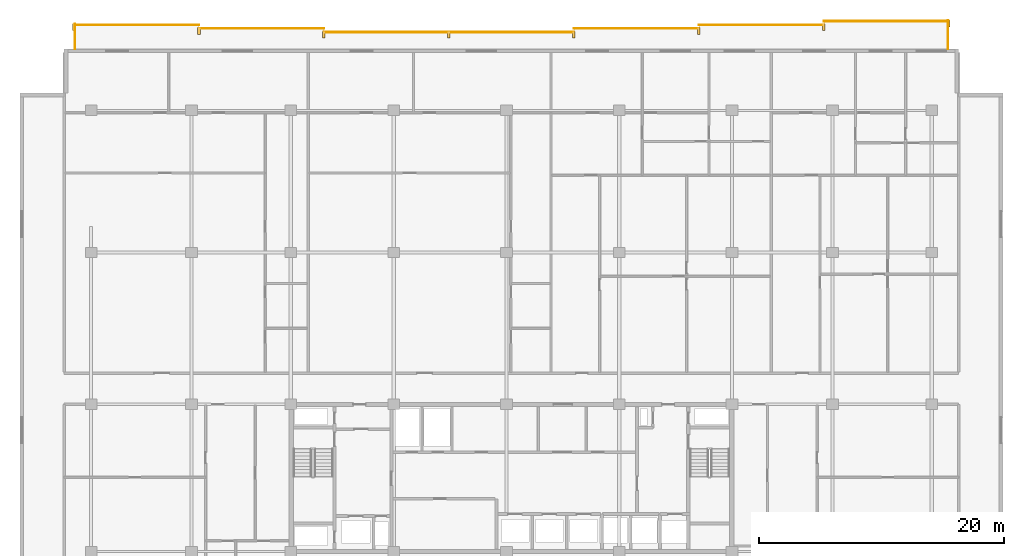
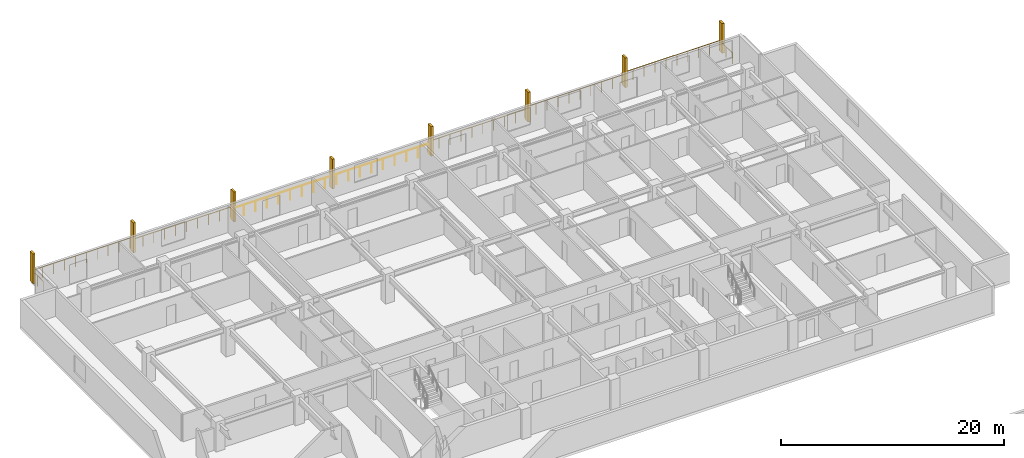
# One storey, part 21 of 21: 8 railings, 8 shading devices.
"""IFC4 building model written with IfcOpenShell, lengths in metres."""

from ifc_helpers import new_model, si_unit, direction, frame, origin, origin_2d, place, context, subcontext, project, spatial, rectangle, circle, extrude, material, type_object, element, save


model = new_model("IFC4")

# Units and contexts
model_context = context("Model", 3, precision=1e-05, world=origin(), true_north=direction((0.0, 1.0)))
body_context = subcontext(model_context, "Body", "Model", "MODEL_VIEW")
ifc_project = project(units=[si_unit("LENGTHUNIT", "METRE"), si_unit("AREAUNIT", "SQUARE_METRE"), si_unit("VOLUMEUNIT", "CUBIC_METRE"), si_unit("PLANEANGLEUNIT", "RADIAN"), si_unit("MASSUNIT", "GRAM", prefix="KILO")], contexts=[model_context])

# Site, building, storey
site_placement = place(None, origin())
site = spatial("IfcSite", under=ifc_project, at=site_placement, CompositionType="ELEMENT")
building_placement = place(site_placement, origin())
building = spatial("IfcBuilding", under=site, at=building_placement, Name="Korimba Cascade Residences", CompositionType="ELEMENT")
storey_placement = place(building_placement, frame((0.0, 0.0, 116.550048828125)))
storey = spatial("IfcBuildingStorey", under=building, at=storey_placement, Name="L33", CompositionType="ELEMENT", Elevation=116.550048828125)

# Railings
ifc_material_1 = material(Name="Laminated Glass and Bronze Balustrade", Category="glass")
railing_type = type_object("IfcRailingType", Name="RLG-LOG-1150", PredefinedType="BALUSTRADE", material=ifc_material_1)
railing_1_placement = place(storey_placement, frame((129.719970703125, 96.199951171875, 0.0)))
element("IfcRailing", 1, at=railing_1_placement, inside=storey, type_object=railing_type, Name="L33 Perimeter Guardrail RLG-L33-T1-LOG-01", PredefinedType="BALUSTRADE", context=body_context, shape_type="SweptSolid", body=[
    extrude(circle(Radius=0.02392578125, at=origin_2d()), frame((0.0, 0.0, 1.1259765625), z_axis=(0.0, 1.0, 0.0), x_axis=(-1.0, 0.0, 0.0)), (0.0, 0.0, 1.0), 2.35009765625),
    extrude(circle(Radius=0.02099609375, at=origin_2d()), origin(), (0.0, 0.0, 1.0), 1.101806640625),
    extrude(circle(Radius=0.02099609375, at=origin_2d()), frame((0.0, 1.175048828125, 0.0)), (0.0, 0.0, 1.0), 1.101806640625),
    extrude(circle(Radius=0.02099609375, at=origin_2d()), frame((0.0, 2.35009765625, 0.0)), (0.0, 0.0, 1.0), 1.101806640625),
])
railing_2_placement = place(storey_placement, frame((129.800048828125, 98.469970703125, 0.0)))
element("IfcRailing", 2, at=railing_2_placement, inside=storey, type_object=railing_type, Name="L33 Perimeter Guardrail RLG-L33-T1-LOG-02", PredefinedType="BALUSTRADE", context=body_context, shape_type="SweptSolid", body=[
    extrude(circle(Radius=0.02392578125, at=origin_2d()), frame((0.0, 0.0, 1.1259765625), z_axis=(-1.0, 0.0, 0.0), x_axis=(0.0, -1.0, 0.0)), (0.0, 0.0, 1.0), 10.199951171875),
    extrude(circle(Radius=0.02099609375, at=origin_2d()), origin(), (0.0, 0.0, 1.0), 1.101806640625),
    extrude(circle(Radius=0.02099609375, at=origin_2d()), frame((-1.13330078125, 0.0, 0.0)), (0.0, 0.0, 1.0), 1.101806640625),
    extrude(circle(Radius=0.02099609375, at=origin_2d()), frame((-2.2666015625, 0.0, 0.0)), (0.0, 0.0, 1.0), 1.101806640625),
    extrude(circle(Radius=0.02099609375, at=origin_2d()), frame((-3.39990234375, 0.0, 0.0)), (0.0, 0.0, 1.0), 1.101806640625),
    extrude(circle(Radius=0.02099609375, at=origin_2d()), frame((-4.533203125, 0.0, 0.0)), (0.0, 0.0, 1.0), 1.101806640625),
    extrude(circle(Radius=0.02099609375, at=origin_2d()), frame((-5.666748046875, 0.0, 0.0)), (0.0, 0.0, 1.0), 1.101806640625),
    extrude(circle(Radius=0.02099609375, at=origin_2d()), frame((-6.800048828125, 0.0, 0.0)), (0.0, 0.0, 1.0), 1.101806640625),
    extrude(circle(Radius=0.02099609375, at=origin_2d()), frame((-7.933349609375, 0.0, 0.0)), (0.0, 0.0, 1.0), 1.101806640625),
    extrude(circle(Radius=0.02099609375, at=origin_2d()), frame((-9.066650390625, 0.0, 0.0)), (0.0, 0.0, 1.0), 1.101806640625),
    extrude(circle(Radius=0.02099609375, at=origin_2d()), frame((-10.199951171875, 0.0, 0.0)), (0.0, 0.0, 1.0), 1.101806640625),
])
railing_3_placement = place(storey_placement, frame((119.60009765625, 98.169921875, 0.0)))
element("IfcRailing", 3, at=railing_3_placement, inside=storey, type_object=railing_type, Name="L33 Perimeter Guardrail RLG-L33-T1-LOG-03", PredefinedType="BALUSTRADE", context=body_context, shape_type="SweptSolid", body=[
    extrude(circle(Radius=0.02392578125, at=origin_2d()), frame((0.0, 0.0, 1.1259765625), z_axis=(-1.0, 0.0, 0.0), x_axis=(0.0, -1.0, 0.0)), (0.0, 0.0, 1.0), 10.2001953125),
    extrude(circle(Radius=0.02099609375, at=origin_2d()), origin(), (0.0, 0.0, 1.0), 1.101806640625),
    extrude(circle(Radius=0.02099609375, at=origin_2d()), frame((-1.13330078125, 0.0, 0.0)), (0.0, 0.0, 1.0), 1.101806640625),
    extrude(circle(Radius=0.02099609375, at=origin_2d()), frame((-2.2666015625, 0.0, 0.0)), (0.0, 0.0, 1.0), 1.101806640625),
    extrude(circle(Radius=0.02099609375, at=origin_2d()), frame((-3.400146484375, 0.0, 0.0)), (0.0, 0.0, 1.0), 1.101806640625),
    extrude(circle(Radius=0.02099609375, at=origin_2d()), frame((-4.533447265625, 0.0, 0.0)), (0.0, 0.0, 1.0), 1.101806640625),
    extrude(circle(Radius=0.02099609375, at=origin_2d()), frame((-5.666748046875, 0.0, 0.0)), (0.0, 0.0, 1.0), 1.101806640625),
    extrude(circle(Radius=0.02099609375, at=origin_2d()), frame((-6.800048828125, 0.0, 0.0)), (0.0, 0.0, 1.0), 1.101806640625),
    extrude(circle(Radius=0.02099609375, at=origin_2d()), frame((-7.93359375, 0.0, 0.0)), (0.0, 0.0, 1.0), 1.101806640625),
    extrude(circle(Radius=0.02099609375, at=origin_2d()), frame((-9.06689453125, 0.0, 0.0)), (0.0, 0.0, 1.0), 1.101806640625),
    extrude(circle(Radius=0.02099609375, at=origin_2d()), frame((-10.2001953125, 0.0, 0.0)), (0.0, 0.0, 1.0), 1.101806640625),
])
railing_4_placement = place(storey_placement, frame((109.39990234375, 97.8701171875, 0.0)))
element("IfcRailing", 4, at=railing_4_placement, inside=storey, type_object=railing_type, Name="L33 Perimeter Guardrail RLG-L33-T1-LOG-04", PredefinedType="BALUSTRADE", context=body_context, shape_type="SweptSolid", body=[
    extrude(circle(Radius=0.02392578125, at=origin_2d()), frame((0.0, 0.0, 1.1259765625), z_axis=(-1.0, 0.0, 0.0), x_axis=(0.0, -1.0, 0.0)), (0.0, 0.0, 1.0), 10.199951171875),
    extrude(circle(Radius=0.02099609375, at=origin_2d()), origin(), (0.0, 0.0, 1.0), 1.101806640625),
    extrude(circle(Radius=0.02099609375, at=origin_2d()), frame((-1.13330078125, 0.0, 0.0)), (0.0, 0.0, 1.0), 1.101806640625),
    extrude(circle(Radius=0.02099609375, at=origin_2d()), frame((-2.2666015625, 0.0, 0.0)), (0.0, 0.0, 1.0), 1.101806640625),
    extrude(circle(Radius=0.02099609375, at=origin_2d()), frame((-3.39990234375, 0.0, 0.0)), (0.0, 0.0, 1.0), 1.101806640625),
    extrude(circle(Radius=0.02099609375, at=origin_2d()), frame((-4.533203125, 0.0, 0.0)), (0.0, 0.0, 1.0), 1.101806640625),
    extrude(circle(Radius=0.02099609375, at=origin_2d()), frame((-5.666748046875, 0.0, 0.0)), (0.0, 0.0, 1.0), 1.101806640625),
    extrude(circle(Radius=0.02099609375, at=origin_2d()), frame((-6.800048828125, 0.0, 0.0)), (0.0, 0.0, 1.0), 1.101806640625),
    extrude(circle(Radius=0.02099609375, at=origin_2d()), frame((-7.933349609375, 0.0, 0.0)), (0.0, 0.0, 1.0), 1.101806640625),
    extrude(circle(Radius=0.02099609375, at=origin_2d()), frame((-9.066650390625, 0.0, 0.0)), (0.0, 0.0, 1.0), 1.101806640625),
    extrude(circle(Radius=0.02099609375, at=origin_2d()), frame((-10.199951171875, 0.0, 0.0)), (0.0, 0.0, 1.0), 1.101806640625),
])
railing_5_placement = place(storey_placement, frame((99.199951171875, 97.570068359375, 0.0)))
element("IfcRailing", 5, at=railing_5_placement, inside=storey, type_object=railing_type, Name="L33 Perimeter Guardrail RLG-L33-T1-LOG-05", PredefinedType="BALUSTRADE", context=body_context, shape_type="SweptSolid", body=[
    extrude(circle(Radius=0.02392578125, at=origin_2d()), frame((0.0, 0.0, 1.1259765625), z_axis=(-1.0, 0.0, 0.0), x_axis=(0.0, -1.0, 0.0)), (0.0, 0.0, 1.0), 20.39990234375),
    extrude(circle(Radius=0.02099609375, at=origin_2d()), origin(), (0.0, 0.0, 1.0), 1.101806640625),
    extrude(circle(Radius=0.02099609375, at=origin_2d()), frame((-1.199951171875, 0.0, 0.0)), (0.0, 0.0, 1.0), 1.101806640625),
    extrude(circle(Radius=0.02099609375, at=origin_2d()), frame((-2.39990234375, 0.0, 0.0)), (0.0, 0.0, 1.0), 1.101806640625),
    extrude(circle(Radius=0.02099609375, at=origin_2d()), frame((-3.60009765625, 0.0, 0.0)), (0.0, 0.0, 1.0), 1.101806640625),
    extrude(circle(Radius=0.02099609375, at=origin_2d()), frame((-4.800048828125, 0.0, 0.0)), (0.0, 0.0, 1.0), 1.101806640625),
    extrude(circle(Radius=0.02099609375, at=origin_2d()), frame((-6.0, 0.0, 0.0)), (0.0, 0.0, 1.0), 1.101806640625),
    extrude(circle(Radius=0.02099609375, at=origin_2d()), frame((-7.199951171875, 0.0, 0.0)), (0.0, 0.0, 1.0), 1.101806640625),
    extrude(circle(Radius=0.02099609375, at=origin_2d()), frame((-8.39990234375, 0.0, 0.0)), (0.0, 0.0, 1.0), 1.101806640625),
    extrude(circle(Radius=0.02099609375, at=origin_2d()), frame((-9.599853515625, 0.0, 0.0)), (0.0, 0.0, 1.0), 1.101806640625),
    extrude(circle(Radius=0.02099609375, at=origin_2d()), frame((-10.800048828125, 0.0, 0.0)), (0.0, 0.0, 1.0), 1.101806640625),
    extrude(circle(Radius=0.02099609375, at=origin_2d()), frame((-12.0, 0.0, 0.0)), (0.0, 0.0, 1.0), 1.101806640625),
    extrude(circle(Radius=0.02099609375, at=origin_2d()), frame((-13.199951171875, 0.0, 0.0)), (0.0, 0.0, 1.0), 1.101806640625),
    extrude(circle(Radius=0.02099609375, at=origin_2d()), frame((-14.39990234375, 0.0, 0.0)), (0.0, 0.0, 1.0), 1.101806640625),
    extrude(circle(Radius=0.02099609375, at=origin_2d()), frame((-15.599853515625, 0.0, 0.0)), (0.0, 0.0, 1.0), 1.101806640625),
    extrude(circle(Radius=0.02099609375, at=origin_2d()), frame((-16.7998046875, 0.0, 0.0)), (0.0, 0.0, 1.0), 1.101806640625),
    extrude(circle(Radius=0.02099609375, at=origin_2d()), frame((-18.0, 0.0, 0.0)), (0.0, 0.0, 1.0), 1.101806640625),
    extrude(circle(Radius=0.02099609375, at=origin_2d()), frame((-19.199951171875, 0.0, 0.0)), (0.0, 0.0, 1.0), 1.101806640625),
    extrude(circle(Radius=0.02099609375, at=origin_2d()), frame((-20.39990234375, 0.0, 0.0)), (0.0, 0.0, 1.0), 1.101806640625),
])
railing_6_placement = place(storey_placement, frame((78.800048828125, 97.8701171875, 0.0)))
element("IfcRailing", 6, at=railing_6_placement, inside=storey, type_object=railing_type, Name="L33 Perimeter Guardrail RLG-L33-T1-LOG-06", PredefinedType="BALUSTRADE", context=body_context, shape_type="SweptSolid", body=[
    extrude(circle(Radius=0.02392578125, at=origin_2d()), frame((0.0, 0.0, 1.1259765625), z_axis=(-1.0, 0.0, 0.0), x_axis=(0.0, -1.0, 0.0)), (0.0, 0.0, 1.0), 10.199951171875),
    extrude(circle(Radius=0.02099609375, at=origin_2d()), origin(), (0.0, 0.0, 1.0), 1.101806640625),
    extrude(circle(Radius=0.02099609375, at=origin_2d()), frame((-1.13330078125, 0.0, 0.0)), (0.0, 0.0, 1.0), 1.101806640625),
    extrude(circle(Radius=0.02099609375, at=origin_2d()), frame((-2.2666015625, 0.0, 0.0)), (0.0, 0.0, 1.0), 1.101806640625),
    extrude(circle(Radius=0.02099609375, at=origin_2d()), frame((-3.39990234375, 0.0, 0.0)), (0.0, 0.0, 1.0), 1.101806640625),
    extrude(circle(Radius=0.02099609375, at=origin_2d()), frame((-4.533203125, 0.0, 0.0)), (0.0, 0.0, 1.0), 1.101806640625),
    extrude(circle(Radius=0.02099609375, at=origin_2d()), frame((-5.666748046875, 0.0, 0.0)), (0.0, 0.0, 1.0), 1.101806640625),
    extrude(circle(Radius=0.02099609375, at=origin_2d()), frame((-6.800048828125, 0.0, 0.0)), (0.0, 0.0, 1.0), 1.101806640625),
    extrude(circle(Radius=0.02099609375, at=origin_2d()), frame((-7.933349609375, 0.0, 0.0)), (0.0, 0.0, 1.0), 1.101806640625),
    extrude(circle(Radius=0.02099609375, at=origin_2d()), frame((-9.066650390625, 0.0, 0.0)), (0.0, 0.0, 1.0), 1.101806640625),
    extrude(circle(Radius=0.02099609375, at=origin_2d()), frame((-10.199951171875, 0.0, 0.0)), (0.0, 0.0, 1.0), 1.101806640625),
])
railing_7_placement = place(storey_placement, frame((68.60009765625, 98.169921875, 0.0)))
element("IfcRailing", 7, at=railing_7_placement, inside=storey, type_object=railing_type, Name="L33 Perimeter Guardrail RLG-L33-T1-LOG-07", PredefinedType="BALUSTRADE", context=body_context, shape_type="SweptSolid", body=[
    extrude(circle(Radius=0.02392578125, at=origin_2d()), frame((0.0, 0.0, 1.1259765625), z_axis=(-1.0, 0.0, 0.0), x_axis=(0.0, -1.0, 0.0)), (0.0, 0.0, 1.0), 10.2001953125),
    extrude(circle(Radius=0.02099609375, at=origin_2d()), origin(), (0.0, 0.0, 1.0), 1.101806640625),
    extrude(circle(Radius=0.02099609375, at=origin_2d()), frame((-1.13330078125, 0.0, 0.0)), (0.0, 0.0, 1.0), 1.101806640625),
    extrude(circle(Radius=0.02099609375, at=origin_2d()), frame((-2.2666015625, 0.0, 0.0)), (0.0, 0.0, 1.0), 1.101806640625),
    extrude(circle(Radius=0.02099609375, at=origin_2d()), frame((-3.400146484375, 0.0, 0.0)), (0.0, 0.0, 1.0), 1.101806640625),
    extrude(circle(Radius=0.02099609375, at=origin_2d()), frame((-4.533447265625, 0.0, 0.0)), (0.0, 0.0, 1.0), 1.101806640625),
    extrude(circle(Radius=0.02099609375, at=origin_2d()), frame((-5.666748046875, 0.0, 0.0)), (0.0, 0.0, 1.0), 1.101806640625),
    extrude(circle(Radius=0.02099609375, at=origin_2d()), frame((-6.800048828125, 0.0, 0.0)), (0.0, 0.0, 1.0), 1.101806640625),
    extrude(circle(Radius=0.02099609375, at=origin_2d()), frame((-7.93359375, 0.0, 0.0)), (0.0, 0.0, 1.0), 1.101806640625),
    extrude(circle(Radius=0.02099609375, at=origin_2d()), frame((-9.06689453125, 0.0, 0.0)), (0.0, 0.0, 1.0), 1.101806640625),
    extrude(circle(Radius=0.02099609375, at=origin_2d()), frame((-10.2001953125, 0.0, 0.0)), (0.0, 0.0, 1.0), 1.101806640625),
])
railing_8_placement = place(storey_placement, frame((58.47998046875, 98.25, 0.0)))
element("IfcRailing", 8, at=railing_8_placement, inside=storey, type_object=railing_type, Name="L33 Perimeter Guardrail RLG-L33-T1-LOG-08", PredefinedType="BALUSTRADE", context=body_context, shape_type="SweptSolid", body=[
    extrude(circle(Radius=0.02392578125, at=origin_2d()), frame((0.0, 0.0, 1.1259765625), z_axis=(0.0, -1.0, 0.0), x_axis=(1.0, 0.0, 0.0)), (0.0, 0.0, 1.0), 2.050048828125),
    extrude(circle(Radius=0.02099609375, at=origin_2d()), origin(), (0.0, 0.0, 1.0), 1.101806640625),
    extrude(circle(Radius=0.02099609375, at=origin_2d()), frame((0.0, -1.02490234375, 0.0)), (0.0, 0.0, 1.0), 1.101806640625),
    extrude(circle(Radius=0.02099609375, at=origin_2d()), frame((0.0, -2.050048828125, 0.0)), (0.0, 0.0, 1.0), 1.101806640625),
])

# Shading devices
ifc_material_2 = material(Name="Honed Sandstone Precast Fin", Category="masonry")
shading_device_type = type_object("IfcShadingDeviceType", Name="SHD-FIN-550", PredefinedType="USERDEFINED", material=ifc_material_2)
for number, where, z_axis, x_axis, name in (
    (9, (58.39990234375, 97.97509765625, 0.0), (0.0, 0.0, 1.0), (1.0, 0.0, 0.0), "L33 T1 Warm-Stone Loggia Fin 1"),
    (10, (68.60009765625, 97.675048828125, 0.0), (0.0, 0.0, 1.0), (1.0, 0.0, 0.0), "L33 T1 Warm-Stone Loggia Fin 2"),
    (11, (78.800048828125, 97.375, 0.0), (0.0, 0.0, 1.0), (1.0, 0.0, 0.0), "L33 T1 Warm-Stone Loggia Fin 3"),
    (12, (89.0, 97.375, 0.0), (0.0, 0.0, 1.0), (1.0, 0.0, 0.0), "L33 T1 Warm-Stone Loggia Fin 4"),
    (13, (99.199951171875, 97.375, 0.0), (0.0, 0.0, 1.0), (1.0, 0.0, 0.0), "L33 T1 Warm-Stone Loggia Fin 5"),
    (14, (109.39990234375, 97.675048828125, 0.0), (0.0, 0.0, 1.0), (1.0, 0.0, 0.0), "L33 T1 Warm-Stone Loggia Fin 6"),
    (15, (119.60009765625, 97.97509765625, 0.0), (0.0, 0.0, 1.0), (1.0, 0.0, 0.0), "L33 T1 Warm-Stone Loggia Fin 7"),
    (16, (129.800048828125, 98.27490234375, 0.0), (0.0, 0.0, 1.0), (1.0, 0.0, 0.0), "L33 T1 Warm-Stone Loggia Fin 8"),
):
    element("IfcShadingDevice", number, at=place(storey_placement, frame(where, z_axis=z_axis, x_axis=x_axis)), inside=storey, type_object=shading_device_type, Name=name, ObjectType="FIN", PredefinedType="USERDEFINED", context=body_context, shape_type="SweptSolid", body=[
        extrude(rectangle(XDim=0.219970703125, YDim=0.550048828125, at=origin_2d()), origin(), (0.0, 0.0, 1.0), 3.25),
    ])

save(model, "model.ifc")
